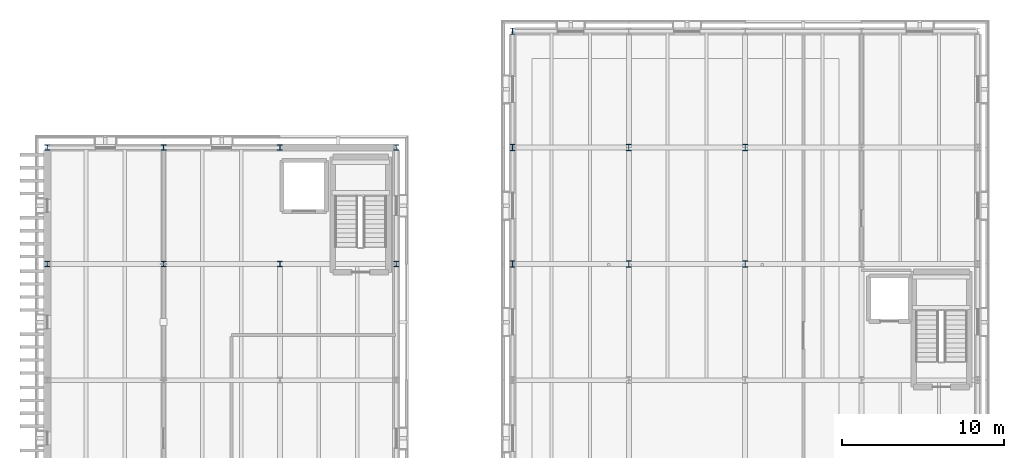
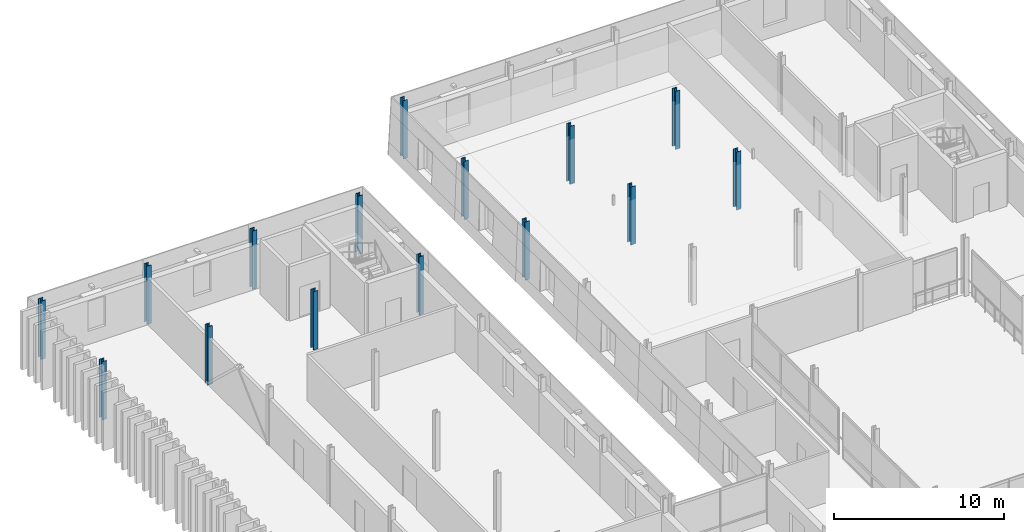
# One storey, part 8 of 115: 15 columns.
"""IFC4 building model written with IfcOpenShell, lengths in metres."""

import ifcopenshell
import ifcopenshell.guid

model = None  # the IFC model being written
_history = None  # IfcOwnerHistory: only IFC2X3 demands one
_inside = {}  # id of a spatial element -> (the spatial element, [elements in it])
_under = {}  # id of a project, library or spatial element -> (it, [spatial elements below it])
_declared = {}  # id of a project -> (the project, [libraries it declares])
_typed = {}  # id of a type object -> (the type object, [elements of that type])
_made_of = {}  # id of a material, layer set ... -> (it, [elements and type objects made of it])


def new_model(schema):
    """Start an empty IFC model of exactly this schema.

    Asked for "IFC4X3", IfcOpenShell would pick the latest addendum, in which some entities
    have other attributes; the version numbers below select the first issue.
    IFC2X3 requires an IfcOwnerHistory on every rooted entity: one is made here for all.
    """
    global model, _history
    if schema == "IFC4X3":
        model = ifcopenshell.file(schema_version=(4, 3, 0, 0))
    else:
        model = ifcopenshell.file(schema=schema)
    _inside.clear()
    _under.clear()
    _declared.clear()
    _typed.clear()
    _made_of.clear()
    _history = None
    if model.schema == "IFC2X3":
        org = make("IfcOrganization", Name="unknown")
        user = make(
            "IfcPersonAndOrganization",
            ThePerson=make("IfcPerson", FamilyName="unknown"),
            TheOrganization=org,
        )
        app = make(
            "IfcApplication",
            ApplicationDeveloper=org,
            Version="unknown",
            ApplicationFullName="unknown",
            ApplicationIdentifier="unknown",
        )
        _history = make(
            "IfcOwnerHistory",
            OwningUser=user,
            OwningApplication=app,
            ChangeAction="ADDED",
            CreationDate=0,
        )
    return model


def make(cls, **values):
    """One entity of the class cls with the attributes given. An attribute that is None is left unset."""
    return model.create_entity(
        cls, **{name: value for name, value in values.items() if value is not None}
    )


def rooted(cls, **values):
    """An entity with a GlobalId (a new one), such as an element, a storey or a relation."""
    return make(cls, GlobalId=ifcopenshell.guid.new(), OwnerHistory=_history, **values)


def si_unit(unit_type, name, prefix=None):
    """IfcSIUnit, for example si_unit("LENGTHUNIT", "METRE", prefix="MILLI")."""
    return make("IfcSIUnit", UnitType=unit_type, Prefix=prefix, Name=name)


def assignment(units):
    """IfcUnitAssignment: the units of a project."""
    return None if units is None else make("IfcUnitAssignment", Units=units)


def point(xyz):
    """IfcCartesianPoint."""
    return None if xyz is None else make("IfcCartesianPoint", Coordinates=xyz)


def direction(xyz):
    """IfcDirection."""
    return None if xyz is None else make("IfcDirection", DirectionRatios=xyz)


def frame(location, z_axis=None, x_axis=None):
    """IfcAxis2Placement3D, a coordinate frame: its origin and axes. An axis left out is left unset."""
    return make(
        "IfcAxis2Placement3D",
        Location=point(location),
        Axis=direction(z_axis),
        RefDirection=direction(x_axis),
    )


def frame_2d(location, x_axis=None):
    """IfcAxis2Placement2D, a coordinate frame in the plane: its origin and x axis."""
    return make(
        "IfcAxis2Placement2D", Location=point(location), RefDirection=direction(x_axis)
    )


def origin():
    """The frame at (0, 0, 0) with its axes left unset."""
    return frame((0.0, 0.0, 0.0))


def origin_2d():
    """The frame at (0, 0) in the plane with its x axis left unset."""
    return frame_2d((0.0, 0.0))


def place(relative_to, where):
    """IfcLocalPlacement: puts the frame where relative to a parent placement (None: the world)."""
    return make(
        "IfcLocalPlacement", PlacementRelTo=relative_to, RelativePlacement=where
    )


def context(
    kind, dimensions, precision=None, world=None, true_north=None, identifier=None
):
    """IfcGeometricRepresentationContext, for example the 3D "Model" context."""
    return make(
        "IfcGeometricRepresentationContext",
        ContextIdentifier=identifier,
        ContextType=kind,
        CoordinateSpaceDimension=dimensions,
        Precision=precision,
        WorldCoordinateSystem=world,
        TrueNorth=true_north,
    )


def subcontext(parent, identifier, kind, view, scale=None):
    """IfcGeometricRepresentationSubContext, for example "Body" below "Model"."""
    return make(
        "IfcGeometricRepresentationSubContext",
        ContextIdentifier=identifier,
        ContextType=kind,
        ParentContext=parent,
        TargetScale=scale,
        TargetView=view,
    )


def project(units=None, contexts=None):
    """IfcProject with its units and contexts."""
    return rooted(
        "IfcProject",
        Name="project",
        RepresentationContexts=contexts,
        UnitsInContext=assignment(units),
    )


def spatial(cls, under=None, at=None, **own):
    """A site, building, storey or space (cls), placed at a placement, below another one or the project."""
    s = rooted(cls, ObjectPlacement=at, **own)
    if under is not None:
        _under.setdefault(under.id(), (under, []))[1].append(s)
    return s


def profile(cls, at=None, kind="AREA", **sizes):
    """A parametric profile (cls). Its sizes go by their IFC names, for example OverallWidth=200.0."""
    return make(cls, ProfileType=kind, Position=at, **sizes)


def i_section(**sizes):
    """IfcIShapeProfileDef."""
    return profile("IfcIShapeProfileDef", **sizes)


def extrude(swept, where, along, depth):
    """IfcExtrudedAreaSolid: the profile swept, set in the frame where, extruded along a direction by depth."""
    return make(
        "IfcExtrudedAreaSolid",
        SweptArea=swept,
        Position=where,
        ExtrudedDirection=direction(along),
        Depth=depth,
    )


def shape(context_of_items, identifier, shape_type, items):
    """IfcShapeRepresentation: the items that make up one representation, for example the "Body"."""
    return make(
        "IfcShapeRepresentation",
        ContextOfItems=context_of_items,
        RepresentationIdentifier=identifier,
        RepresentationType=shape_type,
        Items=items,
    )


def material(Name=None, Category=None):
    """IfcMaterial."""
    return make("IfcMaterial", Name=Name, Category=Category)


def material_profile(
    of_material, cross_section, Name=None, Category=None, Priority=None
):
    """IfcMaterialProfile: a cross section and its material."""
    return make(
        "IfcMaterialProfile",
        Name=Name,
        Material=of_material,
        Profile=cross_section,
        Priority=Priority,
        Category=Category,
    )


def profile_set(profiles, Name=None, composite=None):
    """IfcMaterialProfileSet."""
    return make(
        "IfcMaterialProfileSet",
        Name=Name,
        MaterialProfiles=profiles,
        CompositeProfile=composite,
    )


def made_of(thing, what):
    """Note that an element or type object is made of a material, layer set ...; save() writes the relation."""
    if what is not None:
        _made_of.setdefault(what.id(), (what, []))[1].append(thing)
    return thing


def type_object(cls, material=None, **own):
    """A type object (cls), such as IfcWallType, which elements share."""
    return made_of(rooted(cls, **own), material)


def element(
    cls,
    number,
    at=None,
    inside=None,
    cuts=None,
    type_object=None,
    material=None,
    context=None,
    identifier="Body",
    shape_type=None,
    held_by="IfcProductDefinitionShape",
    body=None,
    shapes=None,
    **own,
):
    """One element of the class cls, such as IfcWall. Its Tag is "e" and its number.

    at: its placement. inside: the storey or other place that contains it. cuts: it is an
    opening in that element (IfcRelVoidsElement). A single representation is given by context,
    identifier, shape_type and body (its items); several are given by shapes. held_by: the class
    of the entity that holds the representations. save() writes the other relations.
    """
    e = rooted(cls, Tag="e%d" % number, ObjectPlacement=at, **own)
    if body is not None:
        shapes = [shape(context, identifier, shape_type, body)]
    if shapes is not None:
        e.Representation = make(held_by, Representations=shapes)
    if inside is not None:
        _inside.setdefault(inside.id(), (inside, []))[1].append(e)
    if cuts is not None:
        rooted(
            "IfcRelVoidsElement", RelatingBuildingElement=cuts, RelatedOpeningElement=e
        )
    if type_object is not None:
        _typed.setdefault(type_object.id(), (type_object, []))[1].append(e)
    return made_of(e, material)


def aggregate(whole, parts):
    """IfcRelAggregates: a whole, such as a stair, and the parts it consists of."""
    return rooted("IfcRelAggregates", RelatingObject=whole, RelatedObjects=parts)


def save(model, path):
    """Write the relations noted so far, then the file.

    IfcRelAggregates (storeys below a building ...), IfcRelContainedInSpatialStructure (elements
    in a storey), IfcRelDefinesByType, IfcRelAssociatesMaterial and IfcRelDeclares: one each for
    every whole, place, type object, material and project.
    """
    for whole, parts in _under.values():
        aggregate(whole, parts)
    for where, things in _inside.values():
        rooted(
            "IfcRelContainedInSpatialStructure",
            RelatedElements=things,
            RelatingStructure=where,
        )
    for kind, things in _typed.values():
        rooted("IfcRelDefinesByType", RelatedObjects=things, RelatingType=kind)
    for what, things in _made_of.values():
        rooted("IfcRelAssociatesMaterial", RelatedObjects=things, RelatingMaterial=what)
    for by, libraries in _declared.values():
        rooted("IfcRelDeclares", RelatingContext=by, RelatedDefinitions=libraries)
    model.write(path)


model = new_model("IFC4")

# Units and contexts
model_context = context("Model", 3, precision=1e-05, world=origin(), true_north=direction((0.0, 1.0)))
body_context = subcontext(model_context, "Body", "Model", "MODEL_VIEW")
ifc_project = project(units=[si_unit("LENGTHUNIT", "METRE"), si_unit("AREAUNIT", "SQUARE_METRE"), si_unit("VOLUMEUNIT", "CUBIC_METRE"), si_unit("PLANEANGLEUNIT", "RADIAN"), si_unit("MASSUNIT", "GRAM", prefix="KILO")], contexts=[model_context])

# Site, building, storey
site_placement = place(None, origin())
site = spatial("IfcSite", under=ifc_project, at=site_placement, CompositionType="ELEMENT")
building_placement = place(site_placement, origin())
building = spatial("IfcBuilding", under=site, at=building_placement, Name="Narikvali Park Central Library", CompositionType="ELEMENT")
storey_placement = place(building_placement, frame((0.0, 0.0, 10.199951171875)))
storey = spatial("IfcBuildingStorey", under=building, at=storey_placement, Name="L02", CompositionType="ELEMENT", Elevation=10.199951171875)

# Columns
ifc_material = material(Name="Steel S355", Category="steel")
ifc_material_profile_1 = material_profile(ifc_material, i_section(OverallWidth=0.300048828125, OverallDepth=0.39990234375, WebThickness=0.013427734375, FlangeThickness=0.02392578125, FilletRadius=0.027099609375, at=origin_2d()), Name="HEB 400")
ifc_profile_set_1 = profile_set([ifc_material_profile_1], Name="Steel S355")
column_type_1 = type_object("IfcColumnType", Name="Steel Column HEB400", PredefinedType="COLUMN", material=ifc_profile_set_1)
for number, where, z_axis, x_axis, name in (
    (1, (28.800048828125, 100.800048828125, 0.0), (0.0, 0.0, 1.0), (1.0, 0.0, 0.0), "V4 L02 Column (28.8,100.8)"),
    (2, (28.800048828125, 108.0, 0.0), (0.0, 0.0, 1.0), (1.0, 0.0, 0.0), "V4 L02 Column (28.8,108.0)"),
    (3, (28.800048828125, 115.199951171875, 0.0), (0.0, 0.0, 1.0), (1.0, 0.0, 0.0), "V4 L02 Column (28.8,115.2)"),
    (4, (36.0, 100.800048828125, 0.0), (0.0, 0.0, 1.0), (1.0, 0.0, 0.0), "V4 L02 Column (36.0,100.8)"),
    (5, (36.0, 108.0, 0.0), (0.0, 0.0, 1.0), (1.0, 0.0, 0.0), "V4 L02 Column (36.0,108.0)"),
    (6, (43.199951171875, 100.800048828125, 0.0), (0.0, 0.0, 1.0), (1.0, 0.0, 0.0), "V4 L02 Column (43.2,100.8)"),
    (7, (43.199951171875, 108.0, 0.0), (0.0, 0.0, 1.0), (1.0, 0.0, 0.0), "V4 L02 Column (43.2,108.0)"),
):
    element("IfcColumn", number, at=place(storey_placement, frame(where, z_axis=z_axis, x_axis=x_axis)), inside=storey, type_object=column_type_1, Name=name, PredefinedType="COLUMN", context=body_context, shape_type="SweptSolid", body=[
        extrude(i_section(OverallWidth=0.300048828125, OverallDepth=0.39990234375, WebThickness=0.013427734375, FlangeThickness=0.02392578125, FilletRadius=0.027099609375, at=origin_2d()), origin(), (0.0, 0.0, 1.0), 4.199951171875),
    ])
ifc_material_profile_2 = material_profile(ifc_material, i_section(OverallWidth=0.31005859375, OverallDepth=0.340087890625, WebThickness=0.02099609375, FlangeThickness=0.034912109375, FilletRadius=0.027099609375, at=origin_2d()), Name="HEM 300")
ifc_profile_set_2 = profile_set([ifc_material_profile_2], Name="Steel S355")
column_type_2 = type_object("IfcColumnType", Name="Steel Column HEM300", PredefinedType="COLUMN", material=ifc_profile_set_2)
for number, where, z_axis, x_axis, name in (
    (8, (0.0, 100.800048828125, 0.0), (0.0, 0.0, 1.0), (1.0, 0.0, 0.0), "V5 L02 Column (0.0,100.8)"),
    (9, (0.0, 108.0, 0.0), (0.0, 0.0, 1.0), (1.0, 0.0, 0.0), "V5 L02 Column (0.0,108.0)"),
    (10, (7.199951171875, 100.800048828125, 0.0), (0.0, 0.0, 1.0), (1.0, 0.0, 0.0), "V5 L02 Column (7.2,100.8)"),
    (11, (7.199951171875, 108.0, 0.0), (0.0, 0.0, 1.0), (1.0, 0.0, 0.0), "V5 L02 Column (7.2,108.0)"),
    (12, (14.39990234375, 100.800048828125, 0.0), (0.0, 0.0, 1.0), (1.0, 0.0, 0.0), "V5 L02 Column (14.4,100.8)"),
    (13, (14.39990234375, 108.0, 0.0), (0.0, 0.0, 1.0), (1.0, 0.0, 0.0), "V5 L02 Column (14.4,108.0)"),
    (14, (21.60009765625, 100.800048828125, 0.0), (0.0, 0.0, 1.0), (1.0, 0.0, 0.0), "V5 L02 Column (21.6,100.8)"),
    (15, (21.60009765625, 108.0, 0.0), (0.0, 0.0, 1.0), (1.0, 0.0, 0.0), "V5 L02 Column (21.6,108.0)"),
):
    element("IfcColumn", number, at=place(storey_placement, frame(where, z_axis=z_axis, x_axis=x_axis)), inside=storey, type_object=column_type_2, Name=name, PredefinedType="COLUMN", context=body_context, shape_type="SweptSolid", body=[
        extrude(i_section(OverallWidth=0.31005859375, OverallDepth=0.340087890625, WebThickness=0.02099609375, FlangeThickness=0.034912109375, FilletRadius=0.027099609375, at=origin_2d()), origin(), (0.0, 0.0, 1.0), 4.199951171875),
    ])

save(model, "model.ifc")
